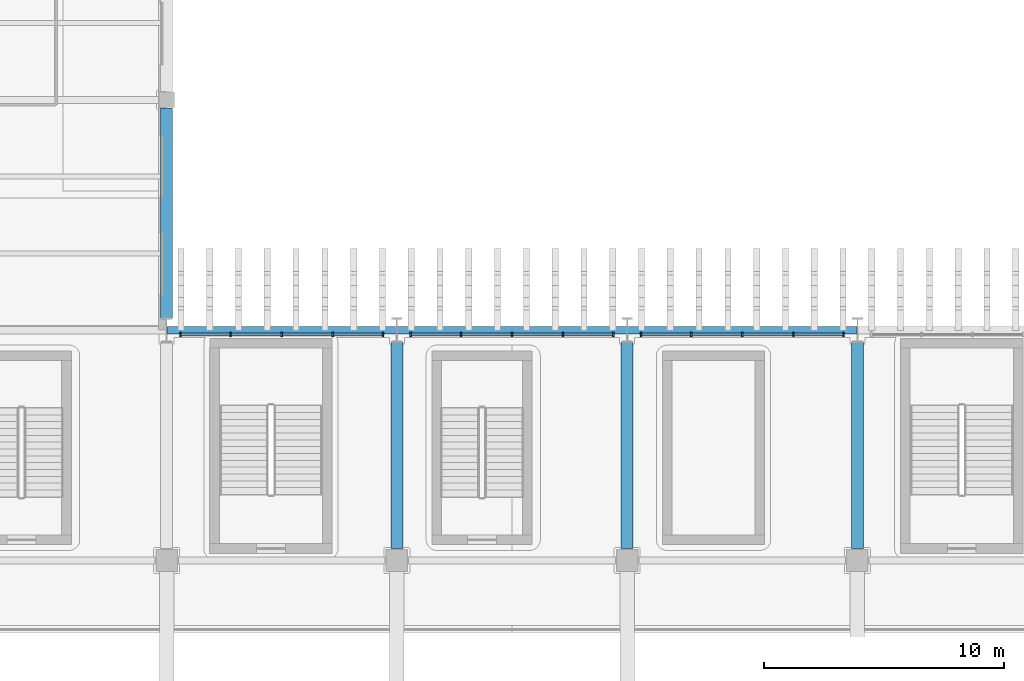
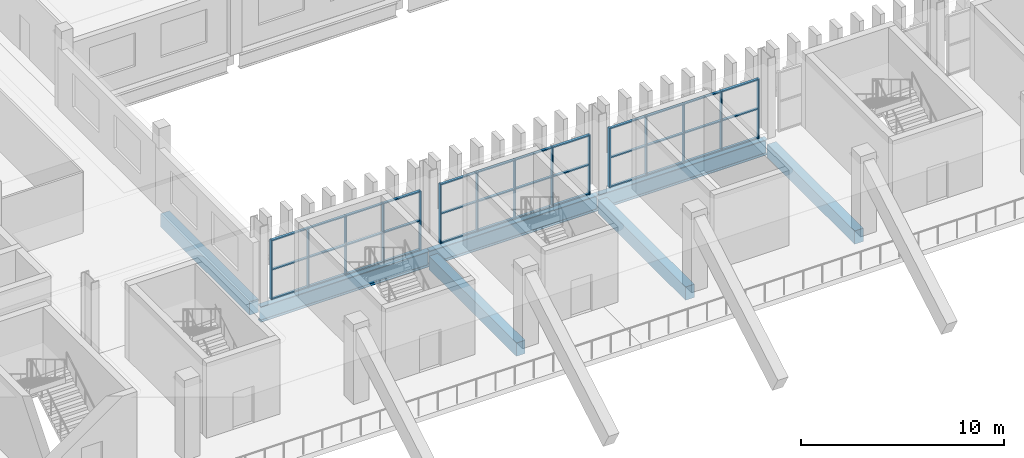
# One storey, part 30 of 100: 51 members, 7 beams, 3 elements without a shape of their own.
"""IFC4 building model written with IfcOpenShell, lengths in metres."""

from ifc_helpers import new_model, si_unit, direction, frame, origin, origin_2d, place, context, subcontext, project, spatial, rectangle, i_section, extrude, material, layer, layer_set, material_profile, profile_set, type_object, element, aggregate, save


model = new_model("IFC4")

# Units and contexts
model_context = context("Model", 3, precision=1e-05, world=origin(), true_north=direction((0.0, 1.0)))
body_context = subcontext(model_context, "Body", "Model", "MODEL_VIEW")
ifc_project = project(units=[si_unit("LENGTHUNIT", "METRE"), si_unit("AREAUNIT", "SQUARE_METRE"), si_unit("VOLUMEUNIT", "CUBIC_METRE"), si_unit("PLANEANGLEUNIT", "RADIAN"), si_unit("MASSUNIT", "GRAM", prefix="KILO")], contexts=[model_context])

# Site, building, storey
site_placement = place(None, origin())
site = spatial("IfcSite", under=ifc_project, at=site_placement, CompositionType="ELEMENT")
building_placement = place(site_placement, origin())
building = spatial("IfcBuilding", under=site, at=building_placement, Name="Caelomonte Colonnade Arena", CompositionType="ELEMENT")
storey_placement = place(building_placement, origin())
storey = spatial("IfcBuildingStorey", under=building, at=storey_placement, Name="L00", CompositionType="ELEMENT", Elevation=0.0)

# Curtain wall, members
ifc_material_1 = material(Name="Bronze anodised aluminium and low-E glazing", Category="aluminium")
ifc_layer = layer(ifc_material_1, 0.179931640625)
ifc_layer_set = layer_set([ifc_layer], Name="Bronze anodised aluminium and low-E glazing")
curtain_wall_type = type_object("IfcCurtainWallType", Name="ENV-CW-CW-L00-96-36", PredefinedType="USERDEFINED", material=ifc_layer_set)
curtain_wall_1_placement = place(storey_placement, origin())
curtain_wall_1 = element("IfcCurtainWall", 1, at=curtain_wall_1_placement, inside=storey, type_object=curtain_wall_type, Name="L00 unitized curtain wall CW-L00-1200-1150", ObjectType="UNITIZED CURTAIN WALL", PredefinedType="USERDEFINED")
ifc_material_2 = material(Name="Bronze anodised aluminium AA6063-T6", Category="aluminium")
ifc_material_profile_1 = material_profile(ifc_material_2, rectangle(XDim=0.070068359375, YDim=0.179931640625, at=origin_2d()), Name="CWM-70X180")
ifc_profile_set_1 = profile_set([ifc_material_profile_1], Name="Bronze anodised aluminium AA6063-T6")
member_type_1 = type_object("IfcMemberType", Name="ENV-CW-MULL1", PredefinedType="MULLION", material=ifc_profile_set_1)
member_1_placement = place(storey_placement, frame((124.224365234375, 115.02001953125, 0.0), z_axis=(0.0, 0.0, 1.0), x_axis=(-1.0, 0.0, 0.0)))
member_1 = element("IfcMember", 2, at=member_1_placement, type_object=member_type_1, Name="CW-L00-96-36 mullion 1", PredefinedType="MULLION", context=body_context, shape_type="SweptSolid", body=[
    extrude(rectangle(XDim=0.070068359375, YDim=0.179931640625, at=origin_2d()), origin(), (0.0, 0.0, 1.0), 3.572998046875),
])
member_2_placement = place(storey_placement, frame((122.129638671875, 115.02001953125, 0.0), z_axis=(0.0, 0.0, 1.0), x_axis=(-1.0, 0.0, 0.0)))
member_2 = element("IfcMember", 3, at=member_2_placement, type_object=member_type_1, Name="CW-L00-96-36 mullion 2", PredefinedType="MULLION", context=body_context, shape_type="SweptSolid", body=[
    extrude(rectangle(XDim=0.070068359375, YDim=0.179931640625, at=origin_2d()), origin(), (0.0, 0.0, 1.0), 3.572998046875),
])
member_3_placement = place(storey_placement, frame((120.0, 115.02001953125, 0.0), z_axis=(0.0, 0.0, 1.0), x_axis=(-1.0, 0.0, 0.0)))
member_3 = element("IfcMember", 4, at=member_3_placement, type_object=member_type_1, Name="CW-L00-96-36 mullion 3", PredefinedType="MULLION", context=body_context, shape_type="SweptSolid", body=[
    extrude(rectangle(XDim=0.070068359375, YDim=0.179931640625, at=origin_2d()), origin(), (0.0, 0.0, 1.0), 3.572998046875),
])
member_4_placement = place(storey_placement, frame((117.870361328125, 115.02001953125, 0.0), z_axis=(0.0, 0.0, 1.0), x_axis=(-1.0, 0.0, 0.0)))
member_4 = element("IfcMember", 5, at=member_4_placement, type_object=member_type_1, Name="CW-L00-96-36 mullion 4", PredefinedType="MULLION", context=body_context, shape_type="SweptSolid", body=[
    extrude(rectangle(XDim=0.070068359375, YDim=0.179931640625, at=origin_2d()), origin(), (0.0, 0.0, 1.0), 3.572998046875),
])
member_5_placement = place(storey_placement, frame((115.775634765625, 115.02001953125, 0.0), z_axis=(0.0, 0.0, 1.0), x_axis=(-1.0, 0.0, 0.0)))
member_5 = element("IfcMember", 6, at=member_5_placement, type_object=member_type_1, Name="CW-L00-96-36 mullion 5", PredefinedType="MULLION", context=body_context, shape_type="SweptSolid", body=[
    extrude(rectangle(XDim=0.070068359375, YDim=0.179931640625, at=origin_2d()), origin(), (0.0, 0.0, 1.0), 3.572998046875),
])

curtain_wall_2_placement = place(storey_placement, origin())
curtain_wall_2 = element("IfcCurtainWall", 7, at=curtain_wall_2_placement, inside=storey, type_object=curtain_wall_type, Name="L00 unitized curtain wall CW-L00-1104-1150", ObjectType="UNITIZED CURTAIN WALL", PredefinedType="USERDEFINED")
member_6_placement = place(storey_placement, frame((114.624267578125, 115.02001953125, 0.0), z_axis=(0.0, 0.0, 1.0), x_axis=(-1.0, 0.0, 0.0)))
member_6 = element("IfcMember", 8, at=member_6_placement, type_object=member_type_1, Name="CW-L00-96-36 mullion 1", PredefinedType="MULLION", context=body_context, shape_type="SweptSolid", body=[
    extrude(rectangle(XDim=0.070068359375, YDim=0.179931640625, at=origin_2d()), origin(), (0.0, 0.0, 1.0), 3.572998046875),
])
member_7_placement = place(storey_placement, frame((112.529541015625, 115.02001953125, 0.0), z_axis=(0.0, 0.0, 1.0), x_axis=(-1.0, 0.0, 0.0)))
member_7 = element("IfcMember", 9, at=member_7_placement, type_object=member_type_1, Name="CW-L00-96-36 mullion 2", PredefinedType="MULLION", context=body_context, shape_type="SweptSolid", body=[
    extrude(rectangle(XDim=0.070068359375, YDim=0.179931640625, at=origin_2d()), origin(), (0.0, 0.0, 1.0), 3.572998046875),
])
member_8_placement = place(storey_placement, frame((110.39990234375, 115.02001953125, 0.0), z_axis=(0.0, 0.0, 1.0), x_axis=(-1.0, 0.0, 0.0)))
member_8 = element("IfcMember", 10, at=member_8_placement, type_object=member_type_1, Name="CW-L00-96-36 mullion 3", PredefinedType="MULLION", context=body_context, shape_type="SweptSolid", body=[
    extrude(rectangle(XDim=0.070068359375, YDim=0.179931640625, at=origin_2d()), origin(), (0.0, 0.0, 1.0), 3.572998046875),
])
member_9_placement = place(storey_placement, frame((108.270263671875, 115.02001953125, 0.0), z_axis=(0.0, 0.0, 1.0), x_axis=(-1.0, 0.0, 0.0)))
member_9 = element("IfcMember", 11, at=member_9_placement, type_object=member_type_1, Name="CW-L00-96-36 mullion 4", PredefinedType="MULLION", context=body_context, shape_type="SweptSolid", body=[
    extrude(rectangle(XDim=0.070068359375, YDim=0.179931640625, at=origin_2d()), origin(), (0.0, 0.0, 1.0), 3.572998046875),
])
member_10_placement = place(storey_placement, frame((106.17578125, 115.02001953125, 0.0), z_axis=(0.0, 0.0, 1.0), x_axis=(-1.0, 0.0, 0.0)))
member_10 = element("IfcMember", 12, at=member_10_placement, type_object=member_type_1, Name="CW-L00-96-36 mullion 5", PredefinedType="MULLION", context=body_context, shape_type="SweptSolid", body=[
    extrude(rectangle(XDim=0.070068359375, YDim=0.179931640625, at=origin_2d()), origin(), (0.0, 0.0, 1.0), 3.572998046875),
])

curtain_wall_3_placement = place(storey_placement, origin())
curtain_wall_3 = element("IfcCurtainWall", 13, at=curtain_wall_3_placement, inside=storey, type_object=curtain_wall_type, Name="L00 unitized curtain wall CW-L00-1008-1150", ObjectType="UNITIZED CURTAIN WALL", PredefinedType="USERDEFINED")
member_11_placement = place(storey_placement, frame((105.0244140625, 115.02001953125, 0.0), z_axis=(0.0, 0.0, 1.0), x_axis=(-1.0, 0.0, 0.0)))
member_11 = element("IfcMember", 14, at=member_11_placement, type_object=member_type_1, Name="CW-L00-96-36 mullion 1", PredefinedType="MULLION", context=body_context, shape_type="SweptSolid", body=[
    extrude(rectangle(XDim=0.070068359375, YDim=0.179931640625, at=origin_2d()), origin(), (0.0, 0.0, 1.0), 3.572998046875),
])
member_12_placement = place(storey_placement, frame((102.9296875, 115.02001953125, 0.0), z_axis=(0.0, 0.0, 1.0), x_axis=(-1.0, 0.0, 0.0)))
member_12 = element("IfcMember", 15, at=member_12_placement, type_object=member_type_1, Name="CW-L00-96-36 mullion 2", PredefinedType="MULLION", context=body_context, shape_type="SweptSolid", body=[
    extrude(rectangle(XDim=0.070068359375, YDim=0.179931640625, at=origin_2d()), origin(), (0.0, 0.0, 1.0), 3.572998046875),
])
member_13_placement = place(storey_placement, frame((100.800048828125, 115.02001953125, 0.0), z_axis=(0.0, 0.0, 1.0), x_axis=(-1.0, 0.0, 0.0)))
member_13 = element("IfcMember", 16, at=member_13_placement, type_object=member_type_1, Name="CW-L00-96-36 mullion 3", PredefinedType="MULLION", context=body_context, shape_type="SweptSolid", body=[
    extrude(rectangle(XDim=0.070068359375, YDim=0.179931640625, at=origin_2d()), origin(), (0.0, 0.0, 1.0), 3.572998046875),
])
member_14_placement = place(storey_placement, frame((98.67041015625, 115.02001953125, 0.0), z_axis=(0.0, 0.0, 1.0), x_axis=(-1.0, 0.0, 0.0)))
member_14 = element("IfcMember", 17, at=member_14_placement, type_object=member_type_1, Name="CW-L00-96-36 mullion 4", PredefinedType="MULLION", context=body_context, shape_type="SweptSolid", body=[
    extrude(rectangle(XDim=0.070068359375, YDim=0.179931640625, at=origin_2d()), origin(), (0.0, 0.0, 1.0), 3.572998046875),
])
member_15_placement = place(storey_placement, frame((96.57568359375, 115.02001953125, 0.0), z_axis=(0.0, 0.0, 1.0), x_axis=(-1.0, 0.0, 0.0)))
member_15 = element("IfcMember", 18, at=member_15_placement, type_object=member_type_1, Name="CW-L00-96-36 mullion 5", PredefinedType="MULLION", context=body_context, shape_type="SweptSolid", body=[
    extrude(rectangle(XDim=0.070068359375, YDim=0.179931640625, at=origin_2d()), origin(), (0.0, 0.0, 1.0), 3.572998046875),
])

# Member
ifc_material_profile_2 = material_profile(ifc_material_2, rectangle(XDim=0.070068359375, YDim=0.139892578125, at=origin_2d()), Name="CWT-70X140")
ifc_profile_set_2 = profile_set([ifc_material_profile_2], Name="Bronze anodised aluminium AA6063-T6")
member_type_2 = type_object("IfcMemberType", Name="ENV-CW-TRAN1", PredefinedType="USERDEFINED", material=ifc_profile_set_2)
member_16_placement = place(storey_placement, frame((124.189208984375, 115.02001953125, 0.034912109375), z_axis=(-1.0, 0.0, 0.0), x_axis=(0.0, 0.0, 1.0)))
member_16 = element("IfcMember", 19, at=member_16_placement, type_object=member_type_2, Name="CW-L00-96-36 transom 1.1", ObjectType="TRANSOM", PredefinedType="USERDEFINED", context=body_context, shape_type="SweptSolid", body=[
    extrude(rectangle(XDim=0.070068359375, YDim=0.139892578125, at=origin_2d()), origin(), (0.0, 0.0, 1.0), 2.024658203125),
])

member_17_placement = place(storey_placement, frame((124.189208984375, 115.02001953125, 1.78662109375), z_axis=(-1.0, 0.0, 0.0), x_axis=(0.0, 0.0, 1.0)))
member_17 = element("IfcMember", 20, at=member_17_placement, type_object=member_type_2, Name="CW-L00-96-36 transom 1.2", ObjectType="TRANSOM", PredefinedType="USERDEFINED", context=body_context, shape_type="SweptSolid", body=[
    extrude(rectangle(XDim=0.070068359375, YDim=0.139892578125, at=origin_2d()), origin(), (0.0, 0.0, 1.0), 2.024658203125),
])

member_18_placement = place(storey_placement, frame((124.189208984375, 115.02001953125, 3.5380859375), z_axis=(-1.0, 0.0, 0.0), x_axis=(0.0, 0.0, 1.0)))
member_18 = element("IfcMember", 21, at=member_18_placement, type_object=member_type_2, Name="CW-L00-96-36 transom 1.3", ObjectType="TRANSOM", PredefinedType="USERDEFINED", context=body_context, shape_type="SweptSolid", body=[
    extrude(rectangle(XDim=0.070068359375, YDim=0.139892578125, at=origin_2d()), origin(), (0.0, 0.0, 1.0), 2.024658203125),
])

member_19_placement = place(storey_placement, frame((122.0947265625, 115.02001953125, 0.034912109375), z_axis=(-1.0, 0.0, 0.0), x_axis=(0.0, 0.0, 1.0)))
member_19 = element("IfcMember", 22, at=member_19_placement, type_object=member_type_2, Name="CW-L00-96-36 transom 2.1", ObjectType="TRANSOM", PredefinedType="USERDEFINED", context=body_context, shape_type="SweptSolid", body=[
    extrude(rectangle(XDim=0.070068359375, YDim=0.139892578125, at=origin_2d()), origin(), (0.0, 0.0, 1.0), 2.059814453125),
])

member_20_placement = place(storey_placement, frame((122.0947265625, 115.02001953125, 1.78662109375), z_axis=(-1.0, 0.0, 0.0), x_axis=(0.0, 0.0, 1.0)))
member_20 = element("IfcMember", 23, at=member_20_placement, type_object=member_type_2, Name="CW-L00-96-36 transom 2.2", ObjectType="TRANSOM", PredefinedType="USERDEFINED", context=body_context, shape_type="SweptSolid", body=[
    extrude(rectangle(XDim=0.070068359375, YDim=0.139892578125, at=origin_2d()), origin(), (0.0, 0.0, 1.0), 2.059814453125),
])

member_21_placement = place(storey_placement, frame((122.0947265625, 115.02001953125, 3.5380859375), z_axis=(-1.0, 0.0, 0.0), x_axis=(0.0, 0.0, 1.0)))
member_21 = element("IfcMember", 24, at=member_21_placement, type_object=member_type_2, Name="CW-L00-96-36 transom 2.3", ObjectType="TRANSOM", PredefinedType="USERDEFINED", context=body_context, shape_type="SweptSolid", body=[
    extrude(rectangle(XDim=0.070068359375, YDim=0.139892578125, at=origin_2d()), origin(), (0.0, 0.0, 1.0), 2.059814453125),
])

member_22_placement = place(storey_placement, frame((119.965087890625, 115.02001953125, 0.034912109375), z_axis=(-1.0, 0.0, 0.0), x_axis=(0.0, 0.0, 1.0)))
member_22 = element("IfcMember", 25, at=member_22_placement, type_object=member_type_2, Name="CW-L00-96-36 transom 3.1", ObjectType="TRANSOM", PredefinedType="USERDEFINED", context=body_context, shape_type="SweptSolid", body=[
    extrude(rectangle(XDim=0.070068359375, YDim=0.139892578125, at=origin_2d()), origin(), (0.0, 0.0, 1.0), 2.059814453125),
])

member_23_placement = place(storey_placement, frame((119.965087890625, 115.02001953125, 1.78662109375), z_axis=(-1.0, 0.0, 0.0), x_axis=(0.0, 0.0, 1.0)))
member_23 = element("IfcMember", 26, at=member_23_placement, type_object=member_type_2, Name="CW-L00-96-36 transom 3.2", ObjectType="TRANSOM", PredefinedType="USERDEFINED", context=body_context, shape_type="SweptSolid", body=[
    extrude(rectangle(XDim=0.070068359375, YDim=0.139892578125, at=origin_2d()), origin(), (0.0, 0.0, 1.0), 2.059814453125),
])

member_24_placement = place(storey_placement, frame((119.965087890625, 115.02001953125, 3.5380859375), z_axis=(-1.0, 0.0, 0.0), x_axis=(0.0, 0.0, 1.0)))
member_24 = element("IfcMember", 27, at=member_24_placement, type_object=member_type_2, Name="CW-L00-96-36 transom 3.3", ObjectType="TRANSOM", PredefinedType="USERDEFINED", context=body_context, shape_type="SweptSolid", body=[
    extrude(rectangle(XDim=0.070068359375, YDim=0.139892578125, at=origin_2d()), origin(), (0.0, 0.0, 1.0), 2.059814453125),
])

member_25_placement = place(storey_placement, frame((117.83544921875, 115.02001953125, 0.034912109375), z_axis=(-1.0, 0.0, 0.0), x_axis=(0.0, 0.0, 1.0)))
member_25 = element("IfcMember", 28, at=member_25_placement, type_object=member_type_2, Name="CW-L00-96-36 transom 4.1", ObjectType="TRANSOM", PredefinedType="USERDEFINED", context=body_context, shape_type="SweptSolid", body=[
    extrude(rectangle(XDim=0.070068359375, YDim=0.139892578125, at=origin_2d()), origin(), (0.0, 0.0, 1.0), 2.024658203125),
])

member_26_placement = place(storey_placement, frame((117.83544921875, 115.02001953125, 1.78662109375), z_axis=(-1.0, 0.0, 0.0), x_axis=(0.0, 0.0, 1.0)))
member_26 = element("IfcMember", 29, at=member_26_placement, type_object=member_type_2, Name="CW-L00-96-36 transom 4.2", ObjectType="TRANSOM", PredefinedType="USERDEFINED", context=body_context, shape_type="SweptSolid", body=[
    extrude(rectangle(XDim=0.070068359375, YDim=0.139892578125, at=origin_2d()), origin(), (0.0, 0.0, 1.0), 2.024658203125),
])

member_27_placement = place(storey_placement, frame((117.83544921875, 115.02001953125, 3.5380859375), z_axis=(-1.0, 0.0, 0.0), x_axis=(0.0, 0.0, 1.0)))
member_27 = element("IfcMember", 30, at=member_27_placement, type_object=member_type_2, Name="CW-L00-96-36 transom 4.3", ObjectType="TRANSOM", PredefinedType="USERDEFINED", context=body_context, shape_type="SweptSolid", body=[
    extrude(rectangle(XDim=0.070068359375, YDim=0.139892578125, at=origin_2d()), origin(), (0.0, 0.0, 1.0), 2.024658203125),
])

aggregate(curtain_wall_1, [member_1, member_2, member_3, member_4, member_5, member_16, member_17, member_18, member_19, member_20, member_21, member_22, member_23, member_24, member_25, member_26, member_27])

member_28_placement = place(storey_placement, frame((114.58935546875, 115.02001953125, 0.034912109375), z_axis=(-1.0, 0.0, 0.0), x_axis=(0.0, 0.0, 1.0)))
member_28 = element("IfcMember", 31, at=member_28_placement, type_object=member_type_2, Name="CW-L00-96-36 transom 1.1", ObjectType="TRANSOM", PredefinedType="USERDEFINED", context=body_context, shape_type="SweptSolid", body=[
    extrude(rectangle(XDim=0.070068359375, YDim=0.139892578125, at=origin_2d()), origin(), (0.0, 0.0, 1.0), 2.024658203125),
])

member_29_placement = place(storey_placement, frame((114.58935546875, 115.02001953125, 1.78662109375), z_axis=(-1.0, 0.0, 0.0), x_axis=(0.0, 0.0, 1.0)))
member_29 = element("IfcMember", 32, at=member_29_placement, type_object=member_type_2, Name="CW-L00-96-36 transom 1.2", ObjectType="TRANSOM", PredefinedType="USERDEFINED", context=body_context, shape_type="SweptSolid", body=[
    extrude(rectangle(XDim=0.070068359375, YDim=0.139892578125, at=origin_2d()), origin(), (0.0, 0.0, 1.0), 2.024658203125),
])

member_30_placement = place(storey_placement, frame((114.58935546875, 115.02001953125, 3.5380859375), z_axis=(-1.0, 0.0, 0.0), x_axis=(0.0, 0.0, 1.0)))
member_30 = element("IfcMember", 33, at=member_30_placement, type_object=member_type_2, Name="CW-L00-96-36 transom 1.3", ObjectType="TRANSOM", PredefinedType="USERDEFINED", context=body_context, shape_type="SweptSolid", body=[
    extrude(rectangle(XDim=0.070068359375, YDim=0.139892578125, at=origin_2d()), origin(), (0.0, 0.0, 1.0), 2.024658203125),
])

member_31_placement = place(storey_placement, frame((112.49462890625, 115.02001953125, 0.034912109375), z_axis=(-1.0, 0.0, 0.0), x_axis=(0.0, 0.0, 1.0)))
member_31 = element("IfcMember", 34, at=member_31_placement, type_object=member_type_2, Name="CW-L00-96-36 transom 2.1", ObjectType="TRANSOM", PredefinedType="USERDEFINED", context=body_context, shape_type="SweptSolid", body=[
    extrude(rectangle(XDim=0.070068359375, YDim=0.139892578125, at=origin_2d()), origin(), (0.0, 0.0, 1.0), 2.0595703125),
])

member_32_placement = place(storey_placement, frame((112.49462890625, 115.02001953125, 1.78662109375), z_axis=(-1.0, 0.0, 0.0), x_axis=(0.0, 0.0, 1.0)))
member_32 = element("IfcMember", 35, at=member_32_placement, type_object=member_type_2, Name="CW-L00-96-36 transom 2.2", ObjectType="TRANSOM", PredefinedType="USERDEFINED", context=body_context, shape_type="SweptSolid", body=[
    extrude(rectangle(XDim=0.070068359375, YDim=0.139892578125, at=origin_2d()), origin(), (0.0, 0.0, 1.0), 2.0595703125),
])

member_33_placement = place(storey_placement, frame((112.49462890625, 115.02001953125, 3.5380859375), z_axis=(-1.0, 0.0, 0.0), x_axis=(0.0, 0.0, 1.0)))
member_33 = element("IfcMember", 36, at=member_33_placement, type_object=member_type_2, Name="CW-L00-96-36 transom 2.3", ObjectType="TRANSOM", PredefinedType="USERDEFINED", context=body_context, shape_type="SweptSolid", body=[
    extrude(rectangle(XDim=0.070068359375, YDim=0.139892578125, at=origin_2d()), origin(), (0.0, 0.0, 1.0), 2.0595703125),
])

member_34_placement = place(storey_placement, frame((110.364990234375, 115.02001953125, 0.034912109375), z_axis=(-1.0, 0.0, 0.0), x_axis=(0.0, 0.0, 1.0)))
member_34 = element("IfcMember", 37, at=member_34_placement, type_object=member_type_2, Name="CW-L00-96-36 transom 3.1", ObjectType="TRANSOM", PredefinedType="USERDEFINED", context=body_context, shape_type="SweptSolid", body=[
    extrude(rectangle(XDim=0.070068359375, YDim=0.139892578125, at=origin_2d()), origin(), (0.0, 0.0, 1.0), 2.0595703125),
])

member_35_placement = place(storey_placement, frame((110.364990234375, 115.02001953125, 1.78662109375), z_axis=(-1.0, 0.0, 0.0), x_axis=(0.0, 0.0, 1.0)))
member_35 = element("IfcMember", 38, at=member_35_placement, type_object=member_type_2, Name="CW-L00-96-36 transom 3.2", ObjectType="TRANSOM", PredefinedType="USERDEFINED", context=body_context, shape_type="SweptSolid", body=[
    extrude(rectangle(XDim=0.070068359375, YDim=0.139892578125, at=origin_2d()), origin(), (0.0, 0.0, 1.0), 2.0595703125),
])

member_36_placement = place(storey_placement, frame((110.364990234375, 115.02001953125, 3.5380859375), z_axis=(-1.0, 0.0, 0.0), x_axis=(0.0, 0.0, 1.0)))
member_36 = element("IfcMember", 39, at=member_36_placement, type_object=member_type_2, Name="CW-L00-96-36 transom 3.3", ObjectType="TRANSOM", PredefinedType="USERDEFINED", context=body_context, shape_type="SweptSolid", body=[
    extrude(rectangle(XDim=0.070068359375, YDim=0.139892578125, at=origin_2d()), origin(), (0.0, 0.0, 1.0), 2.0595703125),
])

member_37_placement = place(storey_placement, frame((108.2353515625, 115.02001953125, 0.034912109375), z_axis=(-1.0, 0.0, 0.0), x_axis=(0.0, 0.0, 1.0)))
member_37 = element("IfcMember", 40, at=member_37_placement, type_object=member_type_2, Name="CW-L00-96-36 transom 4.1", ObjectType="TRANSOM", PredefinedType="USERDEFINED", context=body_context, shape_type="SweptSolid", body=[
    extrude(rectangle(XDim=0.070068359375, YDim=0.139892578125, at=origin_2d()), origin(), (0.0, 0.0, 1.0), 2.024658203125),
])

member_38_placement = place(storey_placement, frame((108.2353515625, 115.02001953125, 1.78662109375), z_axis=(-1.0, 0.0, 0.0), x_axis=(0.0, 0.0, 1.0)))
member_38 = element("IfcMember", 41, at=member_38_placement, type_object=member_type_2, Name="CW-L00-96-36 transom 4.2", ObjectType="TRANSOM", PredefinedType="USERDEFINED", context=body_context, shape_type="SweptSolid", body=[
    extrude(rectangle(XDim=0.070068359375, YDim=0.139892578125, at=origin_2d()), origin(), (0.0, 0.0, 1.0), 2.024658203125),
])

member_39_placement = place(storey_placement, frame((108.2353515625, 115.02001953125, 3.5380859375), z_axis=(-1.0, 0.0, 0.0), x_axis=(0.0, 0.0, 1.0)))
member_39 = element("IfcMember", 42, at=member_39_placement, type_object=member_type_2, Name="CW-L00-96-36 transom 4.3", ObjectType="TRANSOM", PredefinedType="USERDEFINED", context=body_context, shape_type="SweptSolid", body=[
    extrude(rectangle(XDim=0.070068359375, YDim=0.139892578125, at=origin_2d()), origin(), (0.0, 0.0, 1.0), 2.024658203125),
])

aggregate(curtain_wall_2, [member_6, member_7, member_8, member_9, member_10, member_28, member_29, member_30, member_31, member_32, member_33, member_34, member_35, member_36, member_37, member_38, member_39])

member_40_placement = place(storey_placement, frame((104.9892578125, 115.02001953125, 0.034912109375), z_axis=(-1.0, 0.0, 0.0), x_axis=(0.0, 0.0, 1.0)))
member_40 = element("IfcMember", 43, at=member_40_placement, type_object=member_type_2, Name="CW-L00-96-36 transom 1.1", ObjectType="TRANSOM", PredefinedType="USERDEFINED", context=body_context, shape_type="SweptSolid", body=[
    extrude(rectangle(XDim=0.070068359375, YDim=0.139892578125, at=origin_2d()), origin(), (0.0, 0.0, 1.0), 2.024658203125),
])

member_41_placement = place(storey_placement, frame((104.9892578125, 115.02001953125, 1.78662109375), z_axis=(-1.0, 0.0, 0.0), x_axis=(0.0, 0.0, 1.0)))
member_41 = element("IfcMember", 44, at=member_41_placement, type_object=member_type_2, Name="CW-L00-96-36 transom 1.2", ObjectType="TRANSOM", PredefinedType="USERDEFINED", context=body_context, shape_type="SweptSolid", body=[
    extrude(rectangle(XDim=0.070068359375, YDim=0.139892578125, at=origin_2d()), origin(), (0.0, 0.0, 1.0), 2.024658203125),
])

member_42_placement = place(storey_placement, frame((104.9892578125, 115.02001953125, 3.5380859375), z_axis=(-1.0, 0.0, 0.0), x_axis=(0.0, 0.0, 1.0)))
member_42 = element("IfcMember", 45, at=member_42_placement, type_object=member_type_2, Name="CW-L00-96-36 transom 1.3", ObjectType="TRANSOM", PredefinedType="USERDEFINED", context=body_context, shape_type="SweptSolid", body=[
    extrude(rectangle(XDim=0.070068359375, YDim=0.139892578125, at=origin_2d()), origin(), (0.0, 0.0, 1.0), 2.024658203125),
])

member_43_placement = place(storey_placement, frame((102.89453125, 115.02001953125, 0.034912109375), z_axis=(-1.0, 0.0, 0.0), x_axis=(0.0, 0.0, 1.0)))
member_43 = element("IfcMember", 46, at=member_43_placement, type_object=member_type_2, Name="CW-L00-96-36 transom 2.1", ObjectType="TRANSOM", PredefinedType="USERDEFINED", context=body_context, shape_type="SweptSolid", body=[
    extrude(rectangle(XDim=0.070068359375, YDim=0.139892578125, at=origin_2d()), origin(), (0.0, 0.0, 1.0), 2.0595703125),
])

member_44_placement = place(storey_placement, frame((102.89453125, 115.02001953125, 1.78662109375), z_axis=(-1.0, 0.0, 0.0), x_axis=(0.0, 0.0, 1.0)))
member_44 = element("IfcMember", 47, at=member_44_placement, type_object=member_type_2, Name="CW-L00-96-36 transom 2.2", ObjectType="TRANSOM", PredefinedType="USERDEFINED", context=body_context, shape_type="SweptSolid", body=[
    extrude(rectangle(XDim=0.070068359375, YDim=0.139892578125, at=origin_2d()), origin(), (0.0, 0.0, 1.0), 2.0595703125),
])

member_45_placement = place(storey_placement, frame((102.89453125, 115.02001953125, 3.5380859375), z_axis=(-1.0, 0.0, 0.0), x_axis=(0.0, 0.0, 1.0)))
member_45 = element("IfcMember", 48, at=member_45_placement, type_object=member_type_2, Name="CW-L00-96-36 transom 2.3", ObjectType="TRANSOM", PredefinedType="USERDEFINED", context=body_context, shape_type="SweptSolid", body=[
    extrude(rectangle(XDim=0.070068359375, YDim=0.139892578125, at=origin_2d()), origin(), (0.0, 0.0, 1.0), 2.0595703125),
])

member_46_placement = place(storey_placement, frame((100.764892578125, 115.02001953125, 0.034912109375), z_axis=(-1.0, 0.0, 0.0), x_axis=(0.0, 0.0, 1.0)))
member_46 = element("IfcMember", 49, at=member_46_placement, type_object=member_type_2, Name="CW-L00-96-36 transom 3.1", ObjectType="TRANSOM", PredefinedType="USERDEFINED", context=body_context, shape_type="SweptSolid", body=[
    extrude(rectangle(XDim=0.070068359375, YDim=0.139892578125, at=origin_2d()), origin(), (0.0, 0.0, 1.0), 2.0595703125),
])

member_47_placement = place(storey_placement, frame((100.764892578125, 115.02001953125, 1.78662109375), z_axis=(-1.0, 0.0, 0.0), x_axis=(0.0, 0.0, 1.0)))
member_47 = element("IfcMember", 50, at=member_47_placement, type_object=member_type_2, Name="CW-L00-96-36 transom 3.2", ObjectType="TRANSOM", PredefinedType="USERDEFINED", context=body_context, shape_type="SweptSolid", body=[
    extrude(rectangle(XDim=0.070068359375, YDim=0.139892578125, at=origin_2d()), origin(), (0.0, 0.0, 1.0), 2.0595703125),
])

member_48_placement = place(storey_placement, frame((100.764892578125, 115.02001953125, 3.5380859375), z_axis=(-1.0, 0.0, 0.0), x_axis=(0.0, 0.0, 1.0)))
member_48 = element("IfcMember", 51, at=member_48_placement, type_object=member_type_2, Name="CW-L00-96-36 transom 3.3", ObjectType="TRANSOM", PredefinedType="USERDEFINED", context=body_context, shape_type="SweptSolid", body=[
    extrude(rectangle(XDim=0.070068359375, YDim=0.139892578125, at=origin_2d()), origin(), (0.0, 0.0, 1.0), 2.0595703125),
])

member_49_placement = place(storey_placement, frame((98.63525390625, 115.02001953125, 0.034912109375), z_axis=(-1.0, 0.0, 0.0), x_axis=(0.0, 0.0, 1.0)))
member_49 = element("IfcMember", 52, at=member_49_placement, type_object=member_type_2, Name="CW-L00-96-36 transom 4.1", ObjectType="TRANSOM", PredefinedType="USERDEFINED", context=body_context, shape_type="SweptSolid", body=[
    extrude(rectangle(XDim=0.070068359375, YDim=0.139892578125, at=origin_2d()), origin(), (0.0, 0.0, 1.0), 2.024658203125),
])

member_50_placement = place(storey_placement, frame((98.63525390625, 115.02001953125, 1.78662109375), z_axis=(-1.0, 0.0, 0.0), x_axis=(0.0, 0.0, 1.0)))
member_50 = element("IfcMember", 53, at=member_50_placement, type_object=member_type_2, Name="CW-L00-96-36 transom 4.2", ObjectType="TRANSOM", PredefinedType="USERDEFINED", context=body_context, shape_type="SweptSolid", body=[
    extrude(rectangle(XDim=0.070068359375, YDim=0.139892578125, at=origin_2d()), origin(), (0.0, 0.0, 1.0), 2.024658203125),
])

member_51_placement = place(storey_placement, frame((98.63525390625, 115.02001953125, 3.5380859375), z_axis=(-1.0, 0.0, 0.0), x_axis=(0.0, 0.0, 1.0)))
member_51 = element("IfcMember", 54, at=member_51_placement, type_object=member_type_2, Name="CW-L00-96-36 transom 4.3", ObjectType="TRANSOM", PredefinedType="USERDEFINED", context=body_context, shape_type="SweptSolid", body=[
    extrude(rectangle(XDim=0.070068359375, YDim=0.139892578125, at=origin_2d()), origin(), (0.0, 0.0, 1.0), 2.024658203125),
])

aggregate(curtain_wall_3, [member_11, member_12, member_13, member_14, member_15, member_40, member_41, member_42, member_43, member_44, member_45, member_46, member_47, member_48, member_49, member_50, member_51])

# Beams
ifc_material_3 = material(Name="Wide-flange steel ASTM A992 Grade 50", Category="steel")
ifc_material_profile_3 = material_profile(ifc_material_3, i_section(OverallWidth=0.307861328125, OverallDepth=0.927001953125, WebThickness=0.019287109375, FlangeThickness=0.031982421875, FilletRadius=0.020263671875, at=origin_2d()), Name="W36X194")
ifc_profile_set_3 = profile_set([ifc_material_profile_3], Name="Wide-flange steel ASTM A992 Grade 50")
beam_type_1 = type_object("IfcBeamType", Name="STR-BM-EAVES2", PredefinedType="SPANDREL", material=ifc_profile_set_3)
for number, where, z_axis, x_axis, name in (
    (55, (96.015380859375, 115.199951171875, -0.763427734375), (1.0, 0.0, 0.0), (0.0, 1.0, 0.0), "L00 girder BMX-L00-0960-1152"),
    (56, (105.615478515625, 115.199951171875, -0.763427734375), (1.0, 0.0, 0.0), (0.0, 1.0, 0.0), "L00 girder BMX-L00-1056-1152"),
):
    element("IfcBeam", number, at=place(storey_placement, frame(where, z_axis=z_axis, x_axis=x_axis)), inside=storey, type_object=beam_type_1, Name=name, PredefinedType="SPANDREL", context=body_context, shape_type="SweptSolid", body=[
        extrude(i_section(OverallWidth=0.307861328125, OverallDepth=0.927001953125, WebThickness=0.019287109375, FlangeThickness=0.031982421875, FilletRadius=0.020263671875, at=origin_2d()), origin(), (0.0, 0.0, 1.0), 9.569091796875),
    ])
beam_1_placement = place(storey_placement, frame((115.215576171875, 115.199951171875, -0.763427734375), z_axis=(1.0, 0.0, 0.0), x_axis=(0.0, 1.0, 0.0)))
element("IfcBeam", 57, at=beam_1_placement, inside=storey, type_object=beam_type_1, Name="L00 girder BMX-L00-1152-1152", PredefinedType="SPANDREL", context=body_context, shape_type="SweptSolid", body=[
    extrude(i_section(OverallWidth=0.307861328125, OverallDepth=0.927001953125, WebThickness=0.019287109375, FlangeThickness=0.031982421875, FilletRadius=0.020263671875, at=origin_2d()), origin(), (0.0, 0.0, 1.0), 9.56884765625),
])
ifc_material_4 = material(Name="Concrete C40/50", Category="concrete")
ifc_material_profile_4 = material_profile(ifc_material_4, rectangle(XDim=0.5, YDim=0.800048828125, at=origin_2d()), Name="RC500X800")
ifc_profile_set_4 = profile_set([ifc_material_profile_4], Name="Concrete C40/50")
beam_type_2 = type_object("IfcBeamType", Name="STR-BM-RC50", PredefinedType="BEAM", material=ifc_profile_set_4)
beam_2_placement = place(storey_placement, frame((96.0, 115.712646484375, -0.699951171875), z_axis=(0.0, 1.0, 0.0), x_axis=(-1.0, 0.0, 0.0)))
element("IfcBeam", 58, at=beam_2_placement, inside=storey, type_object=beam_type_2, Name="L00 girder BMY-L00-0960-1152", PredefinedType="BEAM", context=body_context, shape_type="SweptSolid", body=[
    extrude(rectangle(XDim=0.5, YDim=0.800048828125, at=origin_2d()), origin(), (0.0, 0.0, 1.0), 8.745361328125),
])
for number, where, z_axis, x_axis, name in (
    (59, (105.60009765625, 106.092041015625, -0.699951171875), (0.0, 1.0, 0.0), (-1.0, 0.0, 0.0), "L00 girder BMY-L00-1056-1056"),
    (60, (115.199951171875, 106.092041015625, -0.699951171875), (0.0, 1.0, 0.0), (-1.0, 0.0, 0.0), "L00 girder BMY-L00-1152-1056"),
    (61, (124.800048828125, 106.092041015625, -0.699951171875), (0.0, 1.0, 0.0), (-1.0, 0.0, 0.0), "L00 girder BMY-L00-1248-1056"),
):
    element("IfcBeam", number, at=place(storey_placement, frame(where, z_axis=z_axis, x_axis=x_axis)), inside=storey, type_object=beam_type_2, Name=name, PredefinedType="BEAM", context=body_context, shape_type="SweptSolid", body=[
        extrude(rectangle(XDim=0.5, YDim=0.800048828125, at=origin_2d()), origin(), (0.0, 0.0, 1.0), 8.59521484375),
    ])

save(model, "model.ifc")
